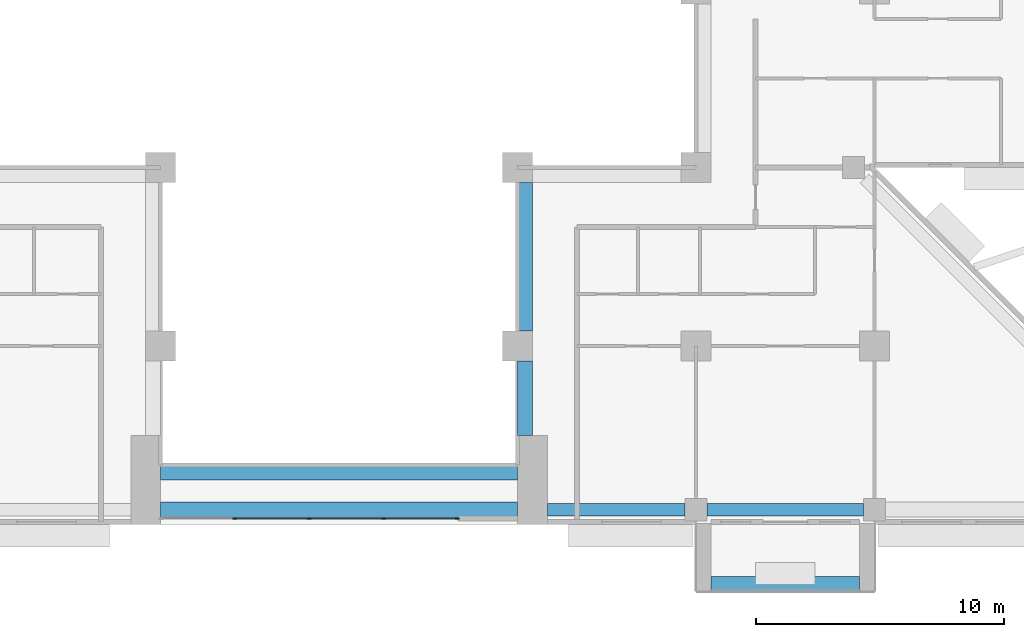
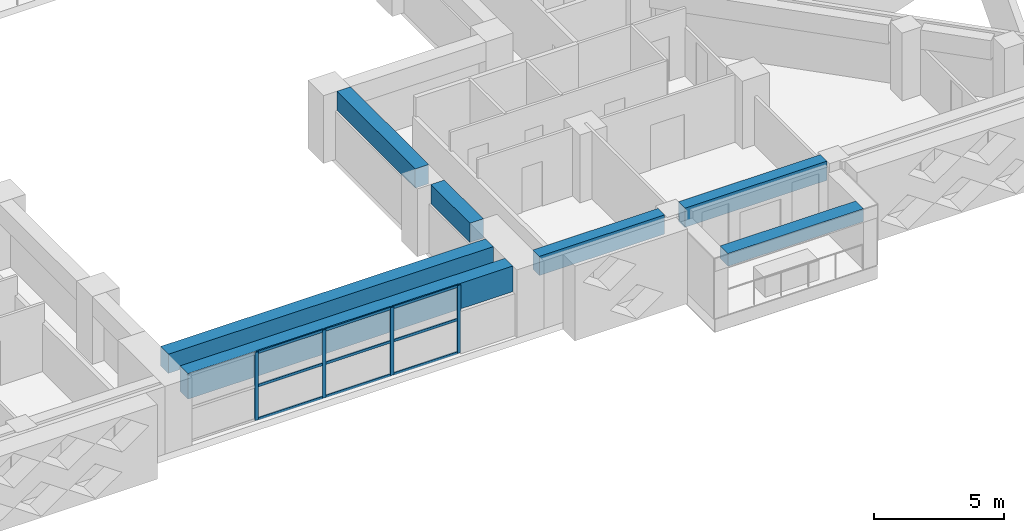
# One storey, part 4 of 17: 13 members, 7 beams, 1 element without a shape of its own.
"""IFC4 building model written with IfcOpenShell, lengths in metres."""

from ifc_helpers import new_model, si_unit, direction, frame, origin, origin_2d, place, context, subcontext, project, spatial, rectangle, extrude, source, transform, mapped, material, layer, layer_set, material_profile, profile_set, type_object, element, aggregate, save


model = new_model("IFC4")

# Units and contexts
model_context = context("Model", 3, precision=1e-05, world=origin(), true_north=direction((0.0, 1.0)))
body_context = subcontext(model_context, "Body", "Model", "MODEL_VIEW")
ifc_project = project(units=[si_unit("LENGTHUNIT", "METRE"), si_unit("AREAUNIT", "SQUARE_METRE"), si_unit("VOLUMEUNIT", "CUBIC_METRE"), si_unit("PLANEANGLEUNIT", "RADIAN"), si_unit("MASSUNIT", "GRAM", prefix="KILO")], contexts=[model_context])

# Site, building, storey
site_placement = place(None, origin())
site = spatial("IfcSite", under=ifc_project, at=site_placement, CompositionType="ELEMENT")
building_placement = place(site_placement, origin())
building = spatial("IfcBuilding", under=site, at=building_placement, Name="Saffron Iwan Residences", CompositionType="ELEMENT")
storey_placement = place(building_placement, frame((0.0, 0.0, 93.5)))
storey = spatial("IfcBuildingStorey", under=building, at=storey_placement, Name="L24", CompositionType="ELEMENT", Elevation=93.5)

# Beams
ifc_material_1 = material(Name="Concrete C60/75", Category="concrete")
ifc_material_profile_1 = material_profile(ifc_material_1, rectangle(XDim=0.60009765625, YDim=1.199951171875, at=origin_2d()), Name="RC 600x1200")
ifc_profile_set_1 = profile_set([ifc_material_profile_1], Name="Concrete C60/75")
beam_type_1 = type_object("IfcBeamType", Name="LINTEL BEAM RC 600x1200 C60/75 TOP 3180", PredefinedType="LINTEL", material=ifc_profile_set_1)
shared_shape_1 = source(origin(), body_context, "Body", "SweptSolid", [
    extrude(rectangle(XDim=0.60009765625, YDim=1.199951171875, at=origin_2d()), origin(), (0.0, 0.0, 1.0), 14.400146484375),
])
beam_1_placement = place(storey_placement, frame((57.60009765625, 34.199951171875, 2.580078125), z_axis=(-1.0, 0.0, 0.0), x_axis=(0.0, -1.0, 0.0)))
element("IfcBeam", 1, at=beam_1_placement, inside=storey, type_object=beam_type_1, Name="Lintel beam over the iwan", PredefinedType="LINTEL", context=body_context, shape_type="MappedRepresentation", body=[
    mapped(shared_shape_1, transform((0.0, 0.0, 0.0))),
])
ifc_material_profile_2 = material_profile(ifc_material_1, rectangle(XDim=0.60009765625, YDim=0.89990234375, at=origin_2d()), Name="RC 600x900")
ifc_profile_set_2 = profile_set([ifc_material_profile_2], Name="Concrete C60/75")
beam_type_2 = type_object("IfcBeamType", Name="BEAM RC 600x900 C60/75 TOP 3180", PredefinedType="BEAM", material=ifc_profile_set_2)
shared_shape_2 = source(origin(), body_context, "Body", "SweptSolid", [
    extrude(rectangle(XDim=0.60009765625, YDim=0.89990234375, at=origin_2d()), origin(), (0.0, 0.0, 1.0), 14.400146484375),
])
beam_2_placement = place(storey_placement, frame((57.60009765625, 35.699951171875, 2.72998046875), z_axis=(-1.0, 0.0, 0.0), x_axis=(0.0, -1.0, 0.0)))
element("IfcBeam", 2, at=beam_2_placement, inside=storey, type_object=beam_type_2, Name="Atrium edge beam", PredefinedType="BEAM", context=body_context, shape_type="MappedRepresentation", body=[
    mapped(shared_shape_2, transform((0.0, 0.0, 0.0))),
])
ifc_material_profile_3 = material_profile(ifc_material_1, rectangle(XDim=0.5, YDim=0.89990234375, at=origin_2d()), Name="RC 500x900")
ifc_profile_set_3 = profile_set([ifc_material_profile_3], Name="Concrete C60/75")
beam_type_3 = type_object("IfcBeamType", Name="SPANDREL BEAM RC 500x900 C60/75 TOP 3180", PredefinedType="SPANDREL", material=ifc_profile_set_3)
shared_shape_3 = source(origin(), body_context, "Body", "SweptSolid", [
    extrude(rectangle(XDim=0.5, YDim=0.89990234375, at=origin_2d()), origin(), (0.0, 0.0, 1.0), 6.300048828125),
])
beam_3_placement = place(storey_placement, frame((71.550048828125, 34.199951171875, 2.72998046875), z_axis=(-1.0, 0.0, 0.0), x_axis=(0.0, -1.0, 0.0)))
element("IfcBeam", 3, at=beam_3_placement, inside=storey, type_object=beam_type_3, Name="Spandrel beam", PredefinedType="SPANDREL", context=body_context, shape_type="MappedRepresentation", body=[
    mapped(shared_shape_3, transform((0.0, 0.0, 0.0))),
])
shared_shape_4 = source(origin(), body_context, "Body", "SweptSolid", [
    extrude(rectangle(XDim=0.5, YDim=0.89990234375, at=origin_2d()), origin(), (0.0, 0.0, 1.0), 5.550048828125),
])
beam_4_placement = place(storey_placement, frame((64.35009765625, 34.199951171875, 2.72998046875), z_axis=(-1.0, 0.0, 0.0), x_axis=(0.0, -1.0, 0.0)))
element("IfcBeam", 4, at=beam_4_placement, inside=storey, type_object=beam_type_3, Name="Spandrel beam", PredefinedType="SPANDREL", context=body_context, shape_type="MappedRepresentation", body=[
    mapped(shared_shape_4, transform((0.0, 0.0, 0.0))),
])
shared_shape_5 = source(origin(), body_context, "Body", "SweptSolid", [
    extrude(rectangle(XDim=0.60009765625, YDim=0.89990234375, at=origin_2d()), origin(), (0.0, 0.0, 1.0), 3.0),
])
beam_5_placement = place(storey_placement, frame((57.89990234375, 40.199951171875, 2.72998046875), z_axis=(0.0, -1.0, 0.0), x_axis=(1.0, 0.0, 0.0)))
element("IfcBeam", 5, at=beam_5_placement, inside=storey, type_object=beam_type_2, Name="Atrium edge beam", PredefinedType="BEAM", context=body_context, shape_type="MappedRepresentation", body=[
    mapped(shared_shape_5, transform((0.0, 0.0, 0.0))),
])
shared_shape_6 = source(origin(), body_context, "Body", "SweptSolid", [
    extrude(rectangle(XDim=0.60009765625, YDim=0.89990234375, at=origin_2d()), origin(), (0.0, 0.0, 1.0), 6.0),
])
beam_6_placement = place(storey_placement, frame((57.89990234375, 47.39990234375, 2.72998046875), z_axis=(0.0, -1.0, 0.0), x_axis=(1.0, 0.0, 0.0)))
element("IfcBeam", 6, at=beam_6_placement, inside=storey, type_object=beam_type_2, Name="Atrium edge beam", PredefinedType="BEAM", context=body_context, shape_type="MappedRepresentation", body=[
    mapped(shared_shape_6, transform((0.0, 0.0, 0.0))),
])

# Curtain wall, members
ifc_material_2 = material(Name="Clear glass, laminated double glazed", Category="glass")
ifc_layer = layer(ifc_material_2, 0.199951171875)
ifc_layer_set = layer_set([ifc_layer], Name="Clear glass, laminated double glazed")
curtain_wall_type = type_object("IfcCurtainWallType", Name="CW-B IWAN PORTAL", PredefinedType="NOTDEFINED", material=ifc_layer_set)
curtain_wall_placement = place(storey_placement, origin())
curtain_wall = element("IfcCurtainWall", 7, at=curtain_wall_placement, inside=storey, type_object=curtain_wall_type, Name="Iwan portal glazing L24.1", PredefinedType="NOTDEFINED")
ifc_material_3 = material(Name="Aluminium 6063-T6", Category="aluminium")
ifc_material_profile_4 = material_profile(ifc_material_3, rectangle(XDim=0.06005859375, YDim=0.159912109375, at=origin_2d()), Name="CW-B MULLION 60 x 160")
ifc_profile_set_4 = profile_set([ifc_material_profile_4], Name="Aluminium 6063-T6")
member_type_1 = type_object("IfcMemberType", Name="CW-B MULLION 60 x 160", PredefinedType="MULLION", material=ifc_profile_set_4)
shared_shape_7 = source(origin(), body_context, "Body", "SweptSolid", [
    extrude(rectangle(XDim=0.06005859375, YDim=0.159912109375, at=origin_2d()), origin(), (0.0, 0.0, 1.0), 3.179931640625),
])
member_1_placement = place(storey_placement, frame((46.199951171875, 33.85009765625, 0.0), z_axis=(0.0, 0.0, 1.0), x_axis=(0.0, 1.0, 0.0)))
member_1 = element("IfcMember", 8, at=member_1_placement, type_object=member_type_1, Name="CW-B mullion 2", PredefinedType="MULLION", context=body_context, shape_type="MappedRepresentation", body=[
    mapped(shared_shape_7, transform((0.0, 0.0, 0.0))),
])
member_2_placement = place(storey_placement, frame((49.199951171875, 33.85009765625, 0.0), z_axis=(0.0, 0.0, 1.0), x_axis=(0.0, 1.0, 0.0)))
member_2 = element("IfcMember", 9, at=member_2_placement, type_object=member_type_1, Name="CW-B mullion 3", PredefinedType="MULLION", context=body_context, shape_type="MappedRepresentation", body=[
    mapped(shared_shape_7, transform((0.0, 0.0, 0.0))),
])
member_3_placement = place(storey_placement, frame((52.199951171875, 33.85009765625, 0.0), z_axis=(0.0, 0.0, 1.0), x_axis=(0.0, 1.0, 0.0)))
member_3 = element("IfcMember", 10, at=member_3_placement, type_object=member_type_1, Name="CW-B mullion 4", PredefinedType="MULLION", context=body_context, shape_type="MappedRepresentation", body=[
    mapped(shared_shape_7, transform((0.0, 0.0, 0.0))),
])
member_4_placement = place(storey_placement, frame((55.169921875, 33.85009765625, 0.0), z_axis=(0.0, 0.0, 1.0), x_axis=(0.0, 1.0, 0.0)))
member_4 = element("IfcMember", 11, at=member_4_placement, type_object=member_type_1, Name="CW-B mullion 5", PredefinedType="MULLION", context=body_context, shape_type="MappedRepresentation", body=[
    mapped(shared_shape_7, transform((0.0, 0.0, 0.0))),
])
ifc_material_profile_5 = material_profile(ifc_material_3, rectangle(XDim=0.06005859375, YDim=0.1201171875, at=origin_2d()), Name="CW-B TRANSOM 60 x 120")
ifc_profile_set_5 = profile_set([ifc_material_profile_5], Name="Aluminium 6063-T6")
member_type_2 = type_object("IfcMemberType", Name="CW-B TRANSOM 60 x 120", PredefinedType="USERDEFINED", material=ifc_profile_set_5)
shared_shape_8 = source(origin(), body_context, "Body", "SweptSolid", [
    extrude(rectangle(XDim=0.06005859375, YDim=0.1201171875, at=origin_2d()), origin(), (0.0, 0.0, 1.0), 2.909912109375),
])
member_5_placement = place(storey_placement, frame((52.22998046875, 33.85009765625, 0.030029296875), z_axis=(1.0, 0.0, 0.0), x_axis=(0.0, 1.0, 0.0)))
member_5 = element("IfcMember", 12, at=member_5_placement, type_object=member_type_2, Name="CW-B transom 4.1", ObjectType="TRANSOM", PredefinedType="USERDEFINED", context=body_context, shape_type="MappedRepresentation", body=[
    mapped(shared_shape_8, transform((0.0, 0.0, 0.0))),
])
member_6_placement = place(storey_placement, frame((52.22998046875, 33.85009765625, 1.590087890625), z_axis=(1.0, 0.0, 0.0), x_axis=(0.0, 1.0, 0.0)))
member_6 = element("IfcMember", 13, at=member_6_placement, type_object=member_type_2, Name="CW-B transom 4.2", ObjectType="TRANSOM", PredefinedType="USERDEFINED", context=body_context, shape_type="MappedRepresentation", body=[
    mapped(shared_shape_8, transform((0.0, 0.0, 0.0))),
])
member_7_placement = place(storey_placement, frame((52.22998046875, 33.85009765625, 3.14990234375), z_axis=(1.0, 0.0, 0.0), x_axis=(0.0, 1.0, 0.0)))
member_7 = element("IfcMember", 14, at=member_7_placement, type_object=member_type_2, Name="CW-B transom 4.3", ObjectType="TRANSOM", PredefinedType="USERDEFINED", context=body_context, shape_type="MappedRepresentation", body=[
    mapped(shared_shape_8, transform((0.0, 0.0, 0.0))),
])
shared_shape_9 = source(origin(), body_context, "Body", "SweptSolid", [
    extrude(rectangle(XDim=0.06005859375, YDim=0.1201171875, at=origin_2d()), origin(), (0.0, 0.0, 1.0), 2.93994140625),
])
member_8_placement = place(storey_placement, frame((46.22998046875, 33.85009765625, 0.030029296875), z_axis=(1.0, 0.0, 0.0), x_axis=(0.0, 1.0, 0.0)))
member_8 = element("IfcMember", 15, at=member_8_placement, type_object=member_type_2, Name="CW-B transom 2.1", ObjectType="TRANSOM", PredefinedType="USERDEFINED", context=body_context, shape_type="MappedRepresentation", body=[
    mapped(shared_shape_9, transform((0.0, 0.0, 0.0))),
])
member_9_placement = place(storey_placement, frame((46.22998046875, 33.85009765625, 1.590087890625), z_axis=(1.0, 0.0, 0.0), x_axis=(0.0, 1.0, 0.0)))
member_9 = element("IfcMember", 16, at=member_9_placement, type_object=member_type_2, Name="CW-B transom 2.2", ObjectType="TRANSOM", PredefinedType="USERDEFINED", context=body_context, shape_type="MappedRepresentation", body=[
    mapped(shared_shape_9, transform((0.0, 0.0, 0.0))),
])
member_10_placement = place(storey_placement, frame((46.22998046875, 33.85009765625, 3.14990234375), z_axis=(1.0, 0.0, 0.0), x_axis=(0.0, 1.0, 0.0)))
member_10 = element("IfcMember", 17, at=member_10_placement, type_object=member_type_2, Name="CW-B transom 2.3", ObjectType="TRANSOM", PredefinedType="USERDEFINED", context=body_context, shape_type="MappedRepresentation", body=[
    mapped(shared_shape_9, transform((0.0, 0.0, 0.0))),
])
member_11_placement = place(storey_placement, frame((49.22998046875, 33.85009765625, 0.030029296875), z_axis=(1.0, 0.0, 0.0), x_axis=(0.0, 1.0, 0.0)))
member_11 = element("IfcMember", 18, at=member_11_placement, type_object=member_type_2, Name="CW-B transom 3.1", ObjectType="TRANSOM", PredefinedType="USERDEFINED", context=body_context, shape_type="MappedRepresentation", body=[
    mapped(shared_shape_9, transform((0.0, 0.0, 0.0))),
])
member_12_placement = place(storey_placement, frame((49.22998046875, 33.85009765625, 1.590087890625), z_axis=(1.0, 0.0, 0.0), x_axis=(0.0, 1.0, 0.0)))
member_12 = element("IfcMember", 19, at=member_12_placement, type_object=member_type_2, Name="CW-B transom 3.2", ObjectType="TRANSOM", PredefinedType="USERDEFINED", context=body_context, shape_type="MappedRepresentation", body=[
    mapped(shared_shape_9, transform((0.0, 0.0, 0.0))),
])
member_13_placement = place(storey_placement, frame((49.22998046875, 33.85009765625, 3.14990234375), z_axis=(1.0, 0.0, 0.0), x_axis=(0.0, 1.0, 0.0)))
member_13 = element("IfcMember", 20, at=member_13_placement, type_object=member_type_2, Name="CW-B transom 3.3", ObjectType="TRANSOM", PredefinedType="USERDEFINED", context=body_context, shape_type="MappedRepresentation", body=[
    mapped(shared_shape_9, transform((0.0, 0.0, 0.0))),
])
aggregate(curtain_wall, [member_1, member_2, member_3, member_4, member_8, member_9, member_10, member_11, member_12, member_13, member_5, member_6, member_7])

# Beam
ifc_material_4 = material(Name="Concrete C50/60 white painted", Category="concrete")
ifc_material_profile_6 = material_profile(ifc_material_4, rectangle(XDim=0.60009765625, YDim=0.60009765625, at=origin_2d()), Name="BALCONY FASCIA BEAM 600 x 600")
ifc_profile_set_6 = profile_set([ifc_material_profile_6], Name="Concrete C50/60 white painted")
beam_type_4 = type_object("IfcBeamType", Name="BALCONY FASCIA BEAM 600 x 600", PredefinedType="BEAM", material=ifc_profile_set_6)
shared_shape_10 = source(origin(), body_context, "Body", "SweptSolid", [
    extrude(rectangle(XDim=0.60009765625, YDim=0.60009765625, at=origin_2d()), origin(), (0.0, 0.0, 1.0), 6.0),
])
beam_7_placement = place(storey_placement, frame((65.39990234375, 31.199951171875, 2.550048828125), z_axis=(1.0, 0.0, 0.0), x_axis=(0.0, 1.0, 0.0)))
element("IfcBeam", 21, at=beam_7_placement, inside=storey, type_object=beam_type_4, Name="Balcony fascia beam L24 11-1", PredefinedType="BEAM", context=body_context, shape_type="MappedRepresentation", body=[
    mapped(shared_shape_10, transform((0.0, 0.0, 0.0))),
])

save(model, "model.ifc")
